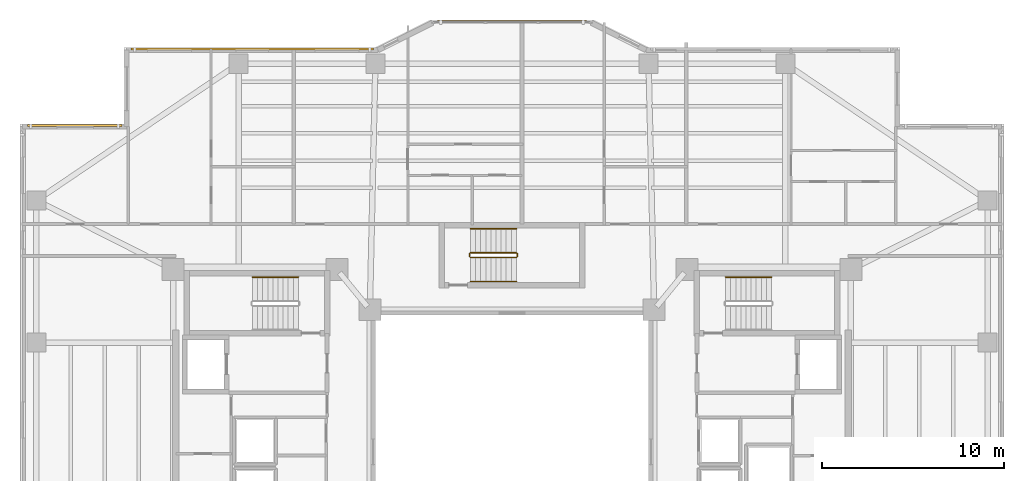
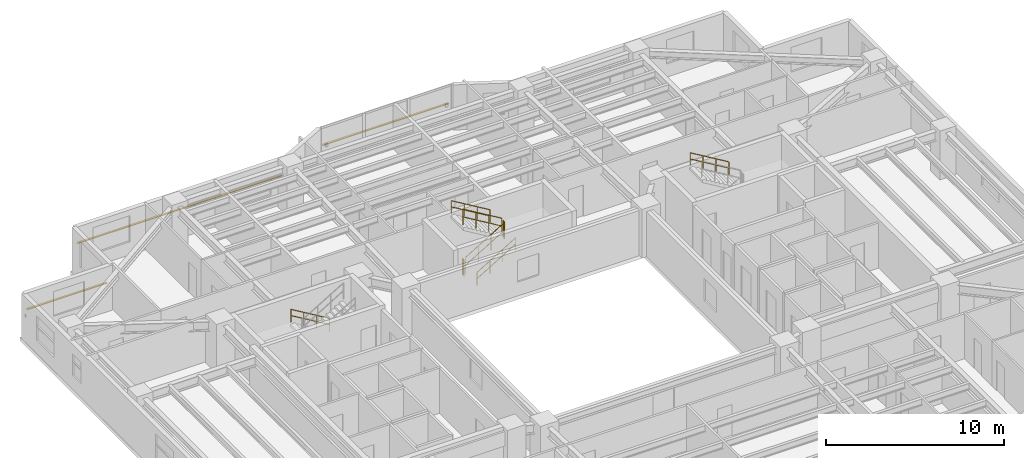
# One storey, part 17 of 18: 8 railings, 3 shading devices.
"""IFC4 building model written with IfcOpenShell, lengths in metres."""

from ifc_helpers import new_model, si_unit, direction, frame, origin, origin_2d, place, context, subcontext, project, spatial, rectangle, circle, extrude, material, material_profile, profile_set, type_object, element, save


model = new_model("IFC4")

# Units and contexts
model_context = context("Model", 3, precision=1e-05, world=origin(), true_north=direction((0.0, 1.0)))
body_context = subcontext(model_context, "Body", "Model", "MODEL_VIEW")
ifc_project = project(units=[si_unit("LENGTHUNIT", "METRE"), si_unit("AREAUNIT", "SQUARE_METRE"), si_unit("VOLUMEUNIT", "CUBIC_METRE"), si_unit("PLANEANGLEUNIT", "RADIAN"), si_unit("MASSUNIT", "GRAM", prefix="KILO")], contexts=[model_context])

# Site, building, storey
site_placement = place(None, origin())
site = spatial("IfcSite", under=ifc_project, at=site_placement, CompositionType="ELEMENT")
building_placement = place(site_placement, origin())
building = spatial("IfcBuilding", under=site, at=building_placement, Name="Tarnavaz Court Tower", CompositionType="ELEMENT")
storey_placement = place(building_placement, frame((0.0, 0.0, 101.75)))
storey = spatial("IfcBuildingStorey", under=building, at=storey_placement, Name="L27", CompositionType="ELEMENT", Elevation=101.75)

# Railings
ifc_material_1 = material(Name="Brushed Stainless Steel", Category="steel")
railing_type_1 = type_object("IfcRailingType", Name="RL-HANDRAIL-900", PredefinedType="HANDRAIL", material=ifc_material_1)
for number, where, name in (
    (1, (-11.719970703125, 9.590087890625, 0.16748046875), "L27 ST-W1 stair handrail 1"),
    (2, (14.239990234375, 9.590087890625, 1.842529296875), "L27 ST-E1 stair handrail 2"),
):
    element("IfcRailing", number, at=place(storey_placement, frame(where)), inside=storey, type_object=railing_type_1, Name=name, PredefinedType="HANDRAIL", context=body_context, shape_type="SweptSolid", body=[
        extrude(circle(Radius=0.02392578125, at=origin_2d()), frame((0.0, 0.0, 0.8759765625), z_axis=(-0.858159760407, 0.0, 0.513382728203), x_axis=(0.0, -1.0, 0.0)), (0.0, 0.0, 1.0), 2.9365234375),
        extrude(circle(Radius=0.02392578125, at=origin_2d()), frame((0.0, 0.0, 0.449951171875), z_axis=(-0.858159760407, 0.0, 0.513382728203), x_axis=(0.0, -1.0, 0.0)), (0.0, 0.0, 1.0), 2.9365234375),
        extrude(circle(Radius=0.02099609375, at=origin_2d()), origin(), (0.0, 0.0, 1.0), 0.851806640625),
        extrude(circle(Radius=0.02099609375, at=origin_2d()), frame((-0.840087890625, 0.0, 0.50244140625)), (0.0, 0.0, 1.0), 0.851806640625),
        extrude(circle(Radius=0.02099609375, at=origin_2d()), frame((-1.679931640625, 0.0, 1.005126953125)), (0.0, 0.0, 1.0), 0.851806640625),
        extrude(circle(Radius=0.02099609375, at=origin_2d()), frame((-2.52001953125, 0.0, 1.507568359375)), (0.0, 0.0, 1.0), 0.851806640625),
    ])
railing_1_placement = place(storey_placement, frame((-2.280029296875, 9.35009765625, 0.16748046875)))
element("IfcRailing", 3, at=railing_1_placement, inside=storey, type_object=railing_type_1, Name="L27 ST-N1 stair handrail 1", PredefinedType="HANDRAIL", context=body_context, shape_type="SweptSolid", body=[
    extrude(circle(Radius=0.02392578125, at=origin_2d()), frame((0.0, 0.0, 0.8759765625), z_axis=(0.858159760407, 0.0, 0.513382728203), x_axis=(0.0, 1.0, 0.0)), (0.0, 0.0, 1.0), 2.9365234375),
    extrude(circle(Radius=0.02392578125, at=origin_2d()), frame((0.0, 0.0, 0.449951171875), z_axis=(0.858159760407, 0.0, 0.513382728203), x_axis=(0.0, 1.0, 0.0)), (0.0, 0.0, 1.0), 2.9365234375),
    extrude(circle(Radius=0.02099609375, at=origin_2d()), origin(), (0.0, 0.0, 1.0), 0.851806640625),
    extrude(circle(Radius=0.02099609375, at=origin_2d()), frame((0.840087890625, 0.0, 0.50244140625)), (0.0, 0.0, 1.0), 0.851806640625),
    extrude(circle(Radius=0.02099609375, at=origin_2d()), frame((1.679931640625, 0.0, 1.005126953125)), (0.0, 0.0, 1.0), 0.851806640625),
    extrude(circle(Radius=0.02099609375, at=origin_2d()), frame((2.52001953125, 0.0, 1.507568359375)), (0.0, 0.0, 1.0), 0.851806640625),
])
railing_2_placement = place(storey_placement, frame((0.239990234375, 12.239990234375, 1.842529296875)))
element("IfcRailing", 4, at=railing_2_placement, inside=storey, type_object=railing_type_1, Name="L27 ST-N1 stair handrail 2", PredefinedType="HANDRAIL", context=body_context, shape_type="SweptSolid", body=[
    extrude(circle(Radius=0.02392578125, at=origin_2d()), frame((0.0, 0.0, 0.8759765625), z_axis=(-0.858159760407, 0.0, 0.513382728203), x_axis=(0.0, -1.0, 0.0)), (0.0, 0.0, 1.0), 2.9365234375),
    extrude(circle(Radius=0.02392578125, at=origin_2d()), frame((0.0, 0.0, 0.449951171875), z_axis=(-0.858159760407, 0.0, 0.513382728203), x_axis=(0.0, -1.0, 0.0)), (0.0, 0.0, 1.0), 2.9365234375),
    extrude(circle(Radius=0.02099609375, at=origin_2d()), origin(), (0.0, 0.0, 1.0), 0.851806640625),
    extrude(circle(Radius=0.02099609375, at=origin_2d()), frame((-0.840087890625, 0.0, 0.50244140625)), (0.0, 0.0, 1.0), 0.851806640625),
    extrude(circle(Radius=0.02099609375, at=origin_2d()), frame((-1.679931640625, 0.0, 1.005126953125)), (0.0, 0.0, 1.0), 0.851806640625),
    extrude(circle(Radius=0.02099609375, at=origin_2d()), frame((-2.52001953125, 0.0, 1.507568359375)), (0.0, 0.0, 1.0), 0.851806640625),
])
ifc_material_2 = material(Name="Galvanized Painted Tubular Steel", Category="steel")
railing_type_2 = type_object("IfcRailingType", Name="RL-STGUARD-1120", PredefinedType="GUARDRAIL", material=ifc_material_2)
railing_3_placement = place(storey_placement, frame((-2.280029296875, 10.669921875, 0.16748046875)))
element("IfcRailing", 5, at=railing_3_placement, inside=storey, type_object=railing_type_2, Name="L27 ST-N1 stair guard 1", PredefinedType="GUARDRAIL", context=body_context, shape_type="SweptSolid", body=[
    extrude(circle(Radius=0.02392578125, at=origin_2d()), frame((0.0, 0.0, 1.09619140625), z_axis=(0.858159760407, 0.0, 0.513382728203), x_axis=(0.0, 1.0, 0.0)), (0.0, 0.0, 1.0), 2.9365234375),
    extrude(circle(Radius=0.02392578125, at=origin_2d()), frame((0.0, 0.0, 0.56005859375), z_axis=(0.858159760407, 0.0, 0.513382728203), x_axis=(0.0, 1.0, 0.0)), (0.0, 0.0, 1.0), 2.9365234375),
    extrude(circle(Radius=0.02099609375, at=origin_2d()), origin(), (0.0, 0.0, 1.0), 1.072021484375),
    extrude(circle(Radius=0.02099609375, at=origin_2d()), frame((0.840087890625, 0.0, 0.50244140625)), (0.0, 0.0, 1.0), 1.072021484375),
    extrude(circle(Radius=0.02099609375, at=origin_2d()), frame((1.679931640625, 0.0, 1.005126953125)), (0.0, 0.0, 1.0), 1.072021484375),
    extrude(circle(Radius=0.02099609375, at=origin_2d()), frame((2.52001953125, 0.0, 1.507568359375)), (0.0, 0.0, 1.0), 1.072021484375),
])
railing_4_placement = place(storey_placement, frame((0.2900390625, 10.719970703125, 1.675048828125)))
element("IfcRailing", 6, at=railing_4_placement, inside=storey, type_object=railing_type_2, Name="L27 ST-N1 stair guard 2", PredefinedType="GUARDRAIL", context=body_context, shape_type="SweptSolid", body=[
    extrude(circle(Radius=0.02392578125, at=origin_2d()), frame((0.0, 0.0, 1.09619140625), z_axis=(0.0, 1.0, 0.0), x_axis=(-1.0, 0.0, 0.0)), (0.0, 0.0, 1.0), 0.150146484375),
    extrude(circle(Radius=0.02392578125, at=origin_2d()), frame((0.0, 0.0, 0.56005859375), z_axis=(0.0, 1.0, 0.0), x_axis=(-1.0, 0.0, 0.0)), (0.0, 0.0, 1.0), 0.150146484375),
    extrude(circle(Radius=0.02099609375, at=origin_2d()), origin(), (0.0, 0.0, 1.0), 1.072021484375),
    extrude(circle(Radius=0.02099609375, at=origin_2d()), frame((0.0, 0.150146484375, 0.0)), (0.0, 0.0, 1.0), 1.072021484375),
])
railing_5_placement = place(storey_placement, frame((0.239990234375, 10.919921875, 1.842529296875)))
element("IfcRailing", 7, at=railing_5_placement, inside=storey, type_object=railing_type_2, Name="L27 ST-N1 stair guard 3", PredefinedType="GUARDRAIL", context=body_context, shape_type="SweptSolid", body=[
    extrude(circle(Radius=0.02392578125, at=origin_2d()), frame((0.0, 0.0, 1.09619140625), z_axis=(-0.858159760407, 0.0, 0.513382728203), x_axis=(0.0, -1.0, 0.0)), (0.0, 0.0, 1.0), 2.9365234375),
    extrude(circle(Radius=0.02392578125, at=origin_2d()), frame((0.0, 0.0, 0.56005859375), z_axis=(-0.858159760407, 0.0, 0.513382728203), x_axis=(0.0, -1.0, 0.0)), (0.0, 0.0, 1.0), 2.9365234375),
    extrude(circle(Radius=0.02099609375, at=origin_2d()), origin(), (0.0, 0.0, 1.0), 1.072021484375),
    extrude(circle(Radius=0.02099609375, at=origin_2d()), frame((-0.840087890625, 0.0, 0.50244140625)), (0.0, 0.0, 1.0), 1.072021484375),
    extrude(circle(Radius=0.02099609375, at=origin_2d()), frame((-1.679931640625, 0.0, 1.005126953125)), (0.0, 0.0, 1.0), 1.072021484375),
    extrude(circle(Radius=0.02099609375, at=origin_2d()), frame((-2.52001953125, 0.0, 1.507568359375)), (0.0, 0.0, 1.0), 1.072021484375),
])
railing_6_placement = place(storey_placement, frame((-2.330078125, 10.719970703125, 0.0)))
element("IfcRailing", 8, at=railing_6_placement, inside=storey, type_object=railing_type_2, Name="L27 ST-N1 stair guard 4", PredefinedType="GUARDRAIL", context=body_context, shape_type="SweptSolid", body=[
    extrude(circle(Radius=0.02392578125, at=origin_2d()), frame((0.0, 0.0, 1.09619140625), z_axis=(0.0, 1.0, 0.0), x_axis=(-1.0, 0.0, 0.0)), (0.0, 0.0, 1.0), 0.150146484375),
    extrude(circle(Radius=0.02392578125, at=origin_2d()), frame((0.0, 0.0, 0.56005859375), z_axis=(0.0, 1.0, 0.0), x_axis=(-1.0, 0.0, 0.0)), (0.0, 0.0, 1.0), 0.150146484375),
    extrude(circle(Radius=0.02099609375, at=origin_2d()), origin(), (0.0, 0.0, 1.0), 1.072021484375),
    extrude(circle(Radius=0.02099609375, at=origin_2d()), frame((0.0, 0.150146484375, 0.0)), (0.0, 0.0, 1.0), 1.072021484375),
])

# Shading devices
ifc_material_3 = material(Name="Kiln-Fired Khorasan Terracotta Ceramic", Category="masonry")
ifc_material_profile = material_profile(ifc_material_3, rectangle(XDim=0.1201171875, YDim=0.06005859375, at=origin_2d()), Name="TC BAGUETTE 120X60")
ifc_profile_set = profile_set([ifc_material_profile], Name="Kiln-Fired Khorasan Terracotta Ceramic")
shading_device_type = type_object("IfcShadingDeviceType", Name="SD-BAG-120", PredefinedType="USERDEFINED", material=ifc_profile_set)
shading_device_1_placement = place(storey_placement, frame((-26.60009765625, 17.909912109375, 1.85009765625), z_axis=(1.0, 0.0, 0.0), x_axis=(0.0, 1.0, 0.0)))
element("IfcShadingDevice", 9, at=shading_device_1_placement, inside=storey, type_object=shading_device_type, Name="L27 Terracotta Baguette Screen FBG03", ObjectType="BAGUETTE", PredefinedType="USERDEFINED", context=body_context, shape_type="SweptSolid", body=[
    extrude(rectangle(XDim=0.1201171875, YDim=0.06005859375, at=origin_2d()), origin(), (0.0, 0.0, 1.0), 5.2001953125),
])
shading_device_2_placement = place(storey_placement, frame((-20.89990234375, 22.110107421875, 1.85009765625), z_axis=(1.0, 0.0, 0.0), x_axis=(0.0, 1.0, 0.0)))
element("IfcShadingDevice", 10, at=shading_device_2_placement, inside=storey, type_object=shading_device_type, Name="L27 Terracotta Baguette Screen FBG05", ObjectType="BAGUETTE", PredefinedType="USERDEFINED", context=body_context, shape_type="SweptSolid", body=[
    extrude(rectangle(XDim=0.1201171875, YDim=0.06005859375, at=origin_2d()), origin(), (0.0, 0.0, 1.0), 13.2998046875),
])
shading_device_3_placement = place(storey_placement, frame((-4.10009765625, 23.610107421875, 1.800048828125), z_axis=(1.0, 0.0, 0.0), x_axis=(0.0, 1.0, 0.0)))
element("IfcShadingDevice", 11, at=shading_device_3_placement, inside=storey, type_object=shading_device_type, Name="L27 Terracotta Baguette Screen PBG7", ObjectType="BAGUETTE", PredefinedType="USERDEFINED", context=body_context, shape_type="SweptSolid", body=[
    extrude(rectangle(XDim=0.1201171875, YDim=0.06005859375, at=origin_2d()), origin(), (0.0, 0.0, 1.0), 8.2001953125),
])

save(model, "model.ifc")
